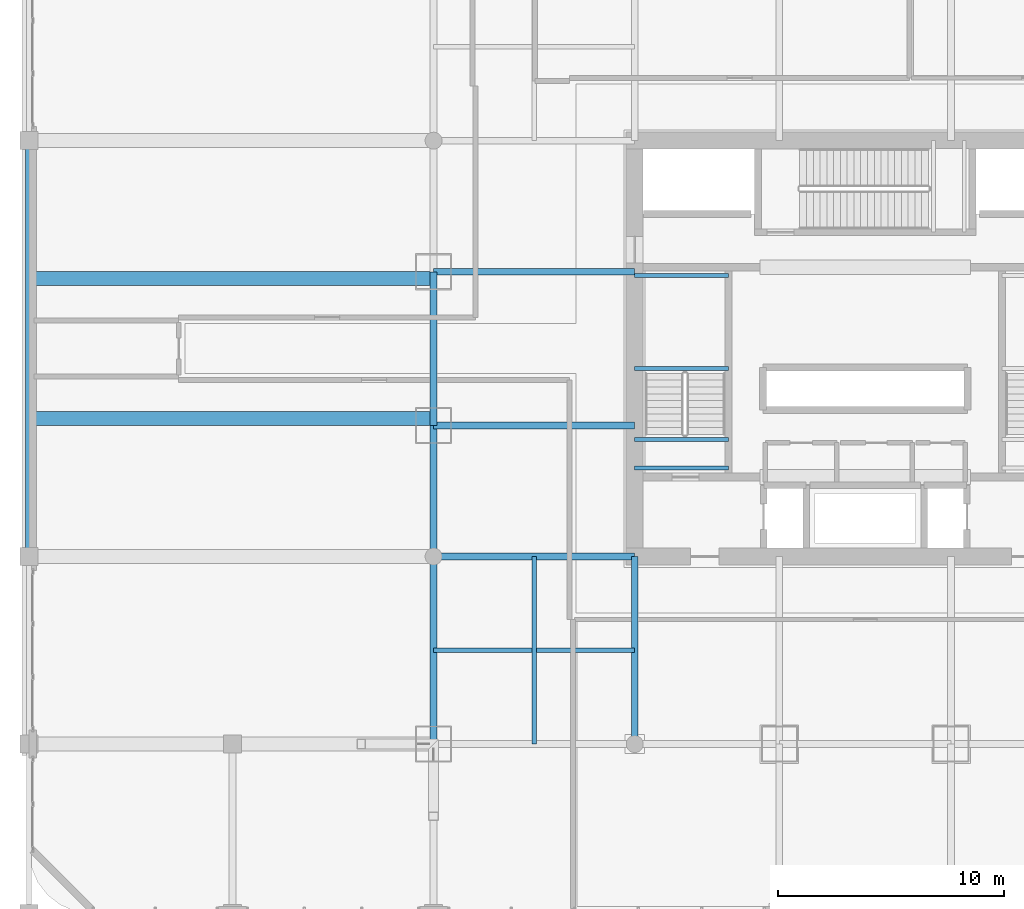
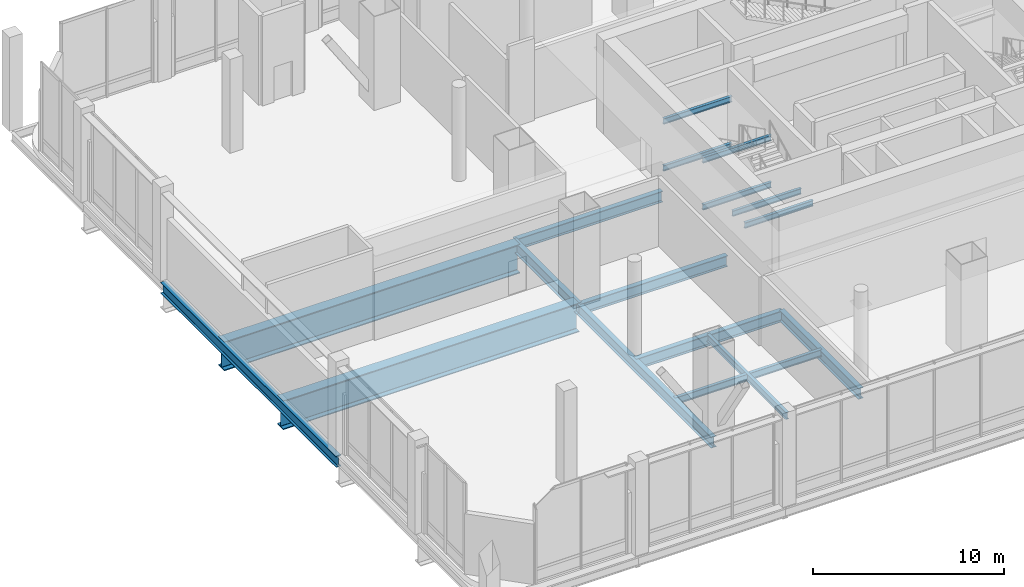
# One storey, part 5 of 38: 17 beams.
"""IFC4 building model written with IfcOpenShell, lengths in metres."""

from ifc_helpers import new_model, si_unit, direction, frame, origin, origin_2d, place, context, subcontext, project, spatial, i_section, extrude, material, material_profile, profile_set, type_object, element, save


model = new_model("IFC4")

# Units and contexts
model_context = context("Model", 3, precision=1e-05, world=origin(), true_north=direction((0.0, 1.0)))
body_context = subcontext(model_context, "Body", "Model", "MODEL_VIEW")
ifc_project = project(units=[si_unit("LENGTHUNIT", "METRE"), si_unit("AREAUNIT", "SQUARE_METRE"), si_unit("VOLUMEUNIT", "CUBIC_METRE"), si_unit("PLANEANGLEUNIT", "RADIAN"), si_unit("MASSUNIT", "GRAM", prefix="KILO")], contexts=[model_context])

# Site, building, storey
site_placement = place(None, origin())
site = spatial("IfcSite", under=ifc_project, at=site_placement, CompositionType="ELEMENT")
building_placement = place(site_placement, origin())
building = spatial("IfcBuilding", under=site, at=building_placement, Name="Punatoya Terracotta Tower", CompositionType="ELEMENT")
storey_placement = place(building_placement, frame((0.0, 0.0, 22.199951171875)))
storey = spatial("IfcBuildingStorey", under=building, at=storey_placement, Name="L04", CompositionType="ELEMENT", Elevation=22.199951171875)

# Beams
ifc_material_1 = material(Name="Steel S355", Category="steel")
ifc_material_profile_1 = material_profile(ifc_material_1, i_section(OverallWidth=0.300048828125, OverallDepth=0.699951171875, WebThickness=0.01708984375, FlangeThickness=0.031982421875, FilletRadius=0.01806640625, at=origin_2d()))
ifc_profile_set_1 = profile_set([ifc_material_profile_1], Name="Steel S355")
beam_type_1 = type_object("IfcBeamType", Name="BM-PRI-700", PredefinedType="BEAM", material=ifc_profile_set_1)
beam_1_placement = place(storey_placement, frame((-19.10009765625, -17.5, -0.72998046875), z_axis=(0.0, 1.0, 0.0), x_axis=(-1.0, 0.0, 0.0)))
element("IfcBeam", 1, at=beam_1_placement, inside=storey, type_object=beam_type_1, Name="BM-L04-RG-W1", PredefinedType="BEAM", context=body_context, shape_type="SweptSolid", body=[
    extrude(i_section(OverallWidth=0.300048828125, OverallDepth=0.699951171875, WebThickness=0.01708984375, FlangeThickness=0.031982421875, FilletRadius=0.01806640625, at=origin_2d()), origin(), (0.0, 0.0, 1.0), 14.10009765625),
])
beam_2_placement = place(storey_placement, frame((-19.10009765625, -3.39990234375, -0.72998046875), z_axis=(0.0, 1.0, 0.0), x_axis=(-1.0, 0.0, 0.0)))
element("IfcBeam", 2, at=beam_2_placement, inside=storey, type_object=beam_type_1, Name="BM-L04-RG-W2", PredefinedType="BEAM", context=body_context, shape_type="SweptSolid", body=[
    extrude(i_section(OverallWidth=0.300048828125, OverallDepth=0.699951171875, WebThickness=0.01708984375, FlangeThickness=0.031982421875, FilletRadius=0.01806640625, at=origin_2d()), origin(), (0.0, 0.0, 1.0), 6.7998046875),
])
for number, where, z_axis, x_axis, name in (
    (3, (-19.10009765625, -9.199951171875, -0.72998046875), (1.0, 0.0, 0.0), (0.0, 1.0, 0.0), "BM-L04-PR-WS"),
    (4, (-19.10009765625, -3.39990234375, -0.72998046875), (1.0, 0.0, 0.0), (0.0, 1.0, 0.0), "BM-L04-PR-WD"),
    (5, (-19.10009765625, 3.39990234375, -0.72998046875), (1.0, 0.0, 0.0), (0.0, 1.0, 0.0), "BM-L04-PR-WE"),
):
    element("IfcBeam", number, at=place(storey_placement, frame(where, z_axis=z_axis, x_axis=x_axis)), inside=storey, type_object=beam_type_1, Name=name, PredefinedType="BEAM", context=body_context, shape_type="SweptSolid", body=[
        extrude(i_section(OverallWidth=0.300048828125, OverallDepth=0.699951171875, WebThickness=0.01708984375, FlangeThickness=0.031982421875, FilletRadius=0.01806640625, at=origin_2d()), origin(), (0.0, 0.0, 1.0), 8.900146484375),
    ])
beam_3_placement = place(storey_placement, frame((-10.199951171875, -17.5, -0.72998046875), z_axis=(0.0, 1.0, 0.0), x_axis=(-1.0, 0.0, 0.0)))
element("IfcBeam", 6, at=beam_3_placement, inside=storey, type_object=beam_type_1, Name="BM-L04-PR-S1", PredefinedType="BEAM", context=body_context, shape_type="SweptSolid", body=[
    extrude(i_section(OverallWidth=0.300048828125, OverallDepth=0.699951171875, WebThickness=0.01708984375, FlangeThickness=0.031982421875, FilletRadius=0.01806640625, at=origin_2d()), origin(), (0.0, 0.0, 1.0), 8.300048828125),
])
beam_4_placement = place(storey_placement, frame((-37.0, -9.199951171875, -0.72998046875), z_axis=(0.0, 1.0, 0.0), x_axis=(-1.0, 0.0, 0.0)))
element("IfcBeam", 7, at=beam_4_placement, inside=storey, type_object=beam_type_1, Name="BM-L04-X37W--9", PredefinedType="BEAM", context=body_context, shape_type="SweptSolid", body=[
    extrude(i_section(OverallWidth=0.300048828125, OverallDepth=0.699951171875, WebThickness=0.01708984375, FlangeThickness=0.031982421875, FilletRadius=0.01806640625, at=origin_2d()), origin(), (0.0, 0.0, 1.0), 18.39990234375),
])
ifc_material_profile_2 = material_profile(ifc_material_1, i_section(OverallWidth=0.169921875, OverallDepth=0.360107421875, WebThickness=0.008056640625, FlangeThickness=0.0126953125, FilletRadius=0.01806640625, at=origin_2d()))
ifc_profile_set_2 = profile_set([ifc_material_profile_2], Name="Steel S355")
beam_type_2 = type_object("IfcBeamType", Name="BM-SEC-360", PredefinedType="JOIST", material=ifc_profile_set_2)
for number, where, z_axis, x_axis, name in (
    (8, (-10.199951171875, -0.8798828125, 1.1201171875), (1.0, 0.0, 0.0), (0.0, 1.0, 0.0), "BM-L04-ST-1-LD1A"),
    (9, (-10.199951171875, 3.22998046875, 1.1201171875), (1.0, 0.0, 0.0), (0.0, 1.0, 0.0), "BM-L04-ST-1-LD1B"),
    (10, (-10.199951171875, -5.280029296875, 2.6201171875), (1.0, 0.0, 0.0), (0.0, 1.0, 0.0), "BM-L04-ST-1-LD2A"),
    (11, (-10.199951171875, -4.02001953125, 2.6201171875), (1.0, 0.0, 0.0), (0.0, 1.0, 0.0), "BM-L04-ST-1-LD2B"),
    (12, (-10.199951171875, -0.8798828125, 4.1201171875), (1.0, 0.0, 0.0), (0.0, 1.0, 0.0), "BM-L04-ST-1-LD3A"),
    (13, (-10.199951171875, 3.22998046875, 4.1201171875), (1.0, 0.0, 0.0), (0.0, 1.0, 0.0), "BM-L04-ST-1-LD3B"),
):
    element("IfcBeam", number, at=place(storey_placement, frame(where, z_axis=z_axis, x_axis=x_axis)), inside=storey, type_object=beam_type_2, Name=name, PredefinedType="JOIST", context=body_context, shape_type="SweptSolid", body=[
        extrude(i_section(OverallWidth=0.169921875, OverallDepth=0.360107421875, WebThickness=0.008056640625, FlangeThickness=0.0126953125, FilletRadius=0.01806640625, at=origin_2d()), origin(), (0.0, 0.0, 1.0), 4.14990234375),
    ])
ifc_material_profile_3 = material_profile(ifc_material_1, i_section(OverallWidth=0.18994140625, OverallDepth=0.449951171875, WebThickness=0.009521484375, FlangeThickness=0.0146484375, FilletRadius=0.01806640625, at=origin_2d()))
ifc_profile_set_3 = profile_set([ifc_material_profile_3], Name="Steel S355")
beam_type_3 = type_object("IfcBeamType", Name="BM-SEC-450", PredefinedType="JOIST", material=ifc_profile_set_3)
beam_5_placement = place(storey_placement, frame((-19.10009765625, -13.35009765625, -0.60498046875), z_axis=(1.0, 0.0, 0.0), x_axis=(0.0, 1.0, 0.0)))
element("IfcBeam", 14, at=beam_5_placement, inside=storey, type_object=beam_type_3, Name="BM-L04-SJS-1", PredefinedType="JOIST", context=body_context, shape_type="SweptSolid", body=[
    extrude(i_section(OverallWidth=0.18994140625, OverallDepth=0.449951171875, WebThickness=0.009521484375, FlangeThickness=0.0146484375, FilletRadius=0.01806640625, at=origin_2d()), origin(), (0.0, 0.0, 1.0), 8.900146484375),
])
beam_6_placement = place(storey_placement, frame((-14.64990234375, -17.5, -0.60498046875), z_axis=(0.0, 1.0, 0.0), x_axis=(-1.0, 0.0, 0.0)))
element("IfcBeam", 15, at=beam_6_placement, inside=storey, type_object=beam_type_3, Name="BM-L04-SJW-1", PredefinedType="JOIST", context=body_context, shape_type="SweptSolid", body=[
    extrude(i_section(OverallWidth=0.18994140625, OverallDepth=0.449951171875, WebThickness=0.009521484375, FlangeThickness=0.0146484375, FilletRadius=0.01806640625, at=origin_2d()), origin(), (0.0, 0.0, 1.0), 8.300048828125),
])
ifc_material_2 = material(Name="Steel S460", Category="steel")
ifc_material_profile_4 = material_profile(ifc_material_2, i_section(OverallWidth=0.6201171875, OverallDepth=1.85009765625, WebThickness=0.0400390625, FlangeThickness=0.06005859375, FilletRadius=0.01806640625, at=origin_2d()))
ifc_profile_set_4 = profile_set([ifc_material_profile_4], Name="Steel S460")
beam_type_4 = type_object("IfcBeamType", Name="BM-TG-AUD", PredefinedType="BEAM", material=ifc_profile_set_4)
for number, where, z_axis, x_axis, name in (
    (16, (-37.0, -3.10009765625, -1.304931640625), (1.0, 0.0, 0.0), (0.0, 1.0, 0.0), "BM-L04-AUDJ--31"),
    (17, (-37.0, 3.10009765625, -1.304931640625), (1.0, 0.0, 0.0), (0.0, 1.0, 0.0), "BM-L04-AUDJ-31"),
):
    element("IfcBeam", number, at=place(storey_placement, frame(where, z_axis=z_axis, x_axis=x_axis)), inside=storey, type_object=beam_type_4, Name=name, PredefinedType="BEAM", context=body_context, shape_type="SweptSolid", body=[
        extrude(i_section(OverallWidth=0.6201171875, OverallDepth=1.85009765625, WebThickness=0.0400390625, FlangeThickness=0.06005859375, FilletRadius=0.01806640625, at=origin_2d()), origin(), (0.0, 0.0, 1.0), 17.89990234375),
    ])

save(model, "model.ifc")
